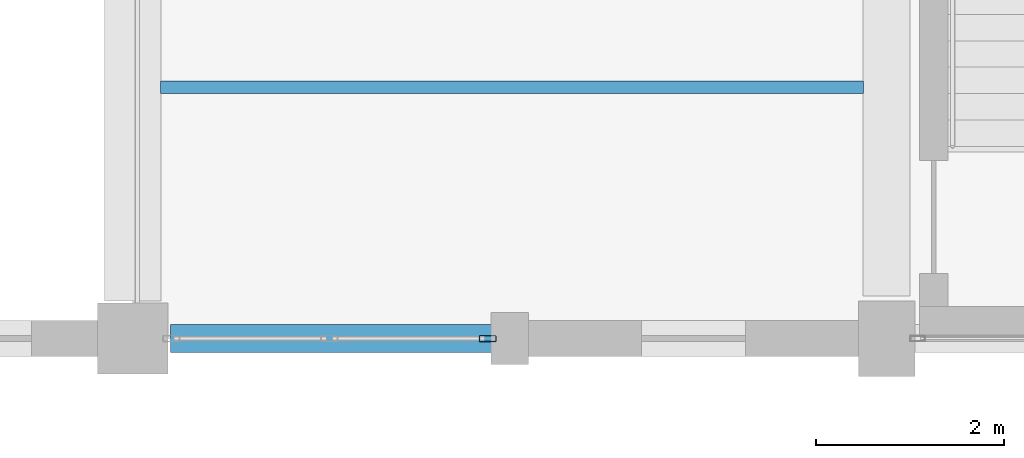
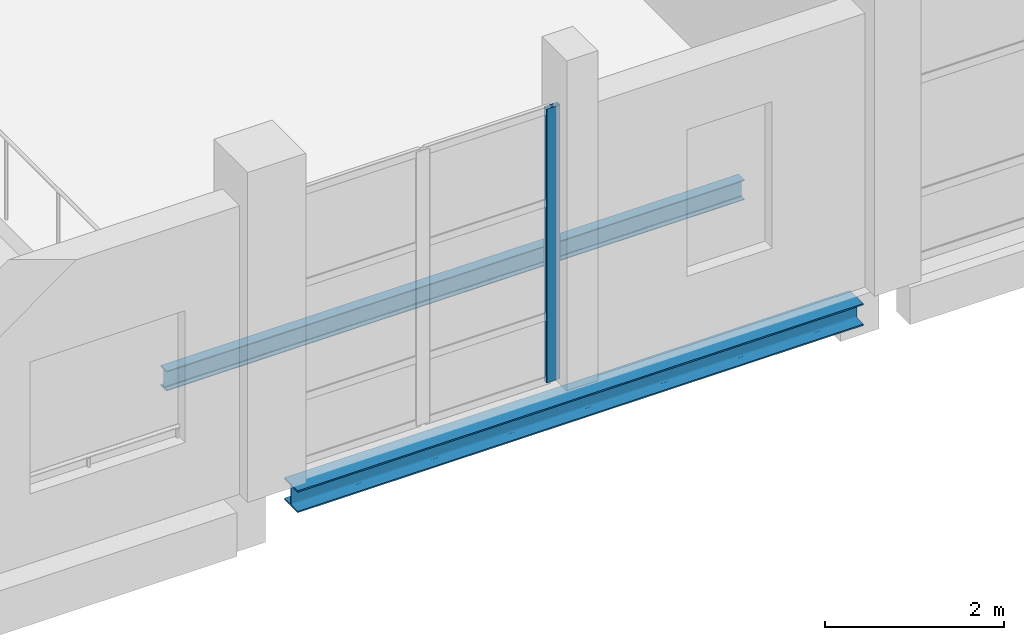
# One storey, part 108 of 183: 2 beams, 1 member, 1 element without a shape of its own.
"""IFC4 building model written with IfcOpenShell, lengths in metres."""

from ifc_helpers import new_model, si_unit, direction, frame, origin, origin_2d, place, context, subcontext, project, spatial, hollow_rectangle, i_section, extrude, material, material_profile, profile_set, type_object, element, aggregate, save


model = new_model("IFC4")

# Units and contexts
model_context = context("Model", 3, precision=1e-05, world=origin(), true_north=direction((0.0, 1.0)))
body_context = subcontext(model_context, "Body", "Model", "MODEL_VIEW")
ifc_project = project(units=[si_unit("LENGTHUNIT", "METRE"), si_unit("AREAUNIT", "SQUARE_METRE"), si_unit("VOLUMEUNIT", "CUBIC_METRE"), si_unit("PLANEANGLEUNIT", "RADIAN"), si_unit("MASSUNIT", "GRAM", prefix="KILO")], contexts=[model_context])

# Site, building, storey
site_placement = place(None, origin())
site = spatial("IfcSite", under=ifc_project, at=site_placement, CompositionType="ELEMENT")
building_placement = place(site_placement, origin())
building = spatial("IfcBuilding", under=site, at=building_placement, Name="Luwemba Playhouse", CompositionType="ELEMENT")
storey_placement = place(building_placement, frame((0.0, 0.0, 4.800048828125)))
storey = spatial("IfcBuildingStorey", under=building, at=storey_placement, Name="L01", CompositionType="ELEMENT", Elevation=4.800048828125)

# Beams
ifc_material_1 = material(Name="Steel S355", Category="steel")
ifc_material_profile_1 = material_profile(ifc_material_1, i_section(OverallWidth=0.135009765625, OverallDepth=0.27001953125, WebThickness=0.006591796875, FlangeThickness=0.01025390625, FilletRadius=0.014892578125, at=origin_2d()))
ifc_profile_set_1 = profile_set([ifc_material_profile_1], Name="Steel S355")
beam_type_1 = type_object("IfcBeamType", Name="BM-SJ04", PredefinedType="JOIST", material=ifc_profile_set_1)
beam_1_placement = place(storey_placement, frame((156.2958984375, 70.666748046875, -0.385009765625), z_axis=(1.0, 0.0, 0.0), x_axis=(0.0, 1.0, 0.0)))
element("IfcBeam", 1, at=beam_1_placement, inside=storey, type_object=beam_type_1, Name="L01 composite floor joist 0269", PredefinedType="JOIST", context=body_context, shape_type="SweptSolid", body=[
    extrude(i_section(OverallWidth=0.135009765625, OverallDepth=0.27001953125, WebThickness=0.006591796875, FlangeThickness=0.01025390625, FilletRadius=0.014892578125, at=origin_2d()), origin(), (0.0, 0.0, 1.0), 7.4580078125),
])
ifc_material_profile_2 = material_profile(ifc_material_1, i_section(OverallWidth=0.300048828125, OverallDepth=0.300048828125, WebThickness=0.010986328125, FlangeThickness=0.01904296875, FilletRadius=0.027099609375, at=origin_2d()))
ifc_profile_set_2 = profile_set([ifc_material_profile_2], Name="Steel S355")
beam_type_2 = type_object("IfcBeamType", Name="BM-SSP1", PredefinedType="SPANDREL", material=ifc_profile_set_2)
beam_2_placement = place(storey_placement, frame((156.39990234375, 68.0, -0.400146484375), z_axis=(1.0, 0.0, 0.0), x_axis=(0.0, 1.0, 0.0)))
element("IfcBeam", 2, at=beam_2_placement, inside=storey, type_object=beam_type_2, Name="L01 grid girder 0439", PredefinedType="SPANDREL", context=body_context, shape_type="SweptSolid", body=[
    extrude(i_section(OverallWidth=0.300048828125, OverallDepth=0.300048828125, WebThickness=0.010986328125, FlangeThickness=0.01904296875, FilletRadius=0.027099609375, at=origin_2d()), origin(), (0.0, 0.0, 1.0), 7.300048828125),
])

# Curtain wall, member
ifc_material_2 = material(Name="Solar-control double glazing", Category="glass")
curtain_wall_type = type_object("IfcCurtainWallType", Name="CW-CW85", PredefinedType="USERDEFINED", material=ifc_material_2)
curtain_wall_placement = place(storey_placement, origin())
curtain_wall = element("IfcCurtainWall", 3, at=curtain_wall_placement, inside=storey, type_object=curtain_wall_type, Name="L01 V4 unitised curtain wall 115", ObjectType="UNITISED GLAZING", PredefinedType="USERDEFINED")
ifc_material_3 = material(Name="Aluminium 6063-T6", Category="aluminium")
ifc_material_profile_3 = material_profile(ifc_material_3, hollow_rectangle(XDim=0.06494140625, YDim=0.179931640625, WallThickness=0.00439453125, InnerFilletRadius=0.0068359375, OuterFilletRadius=0.01123046875, at=origin_2d()))
ifc_profile_set_3 = profile_set([ifc_material_profile_3], Name="Aluminium 6063-T6")
member_type = type_object("IfcMemberType", Name="CWM-M2", PredefinedType="MULLION", material=ifc_profile_set_3)
member_placement = place(storey_placement, frame((159.767578125, 68.0, 0.0), z_axis=(0.0, 0.0, 1.0), x_axis=(0.0, -1.0, 0.0)))
member = element("IfcMember", 4, at=member_placement, type_object=member_type, Name="CW85 mullion 1", PredefinedType="MULLION", context=body_context, shape_type="SweptSolid", body=[
    extrude(hollow_rectangle(XDim=0.06494140625, YDim=0.179931640625, WallThickness=0.00439453125, InnerFilletRadius=0.0068359375, OuterFilletRadius=0.01123046875, at=origin_2d()), origin(), (0.0, 0.0, 1.0), 3.73486328125),
])
aggregate(curtain_wall, [member])

save(model, "model.ifc")
